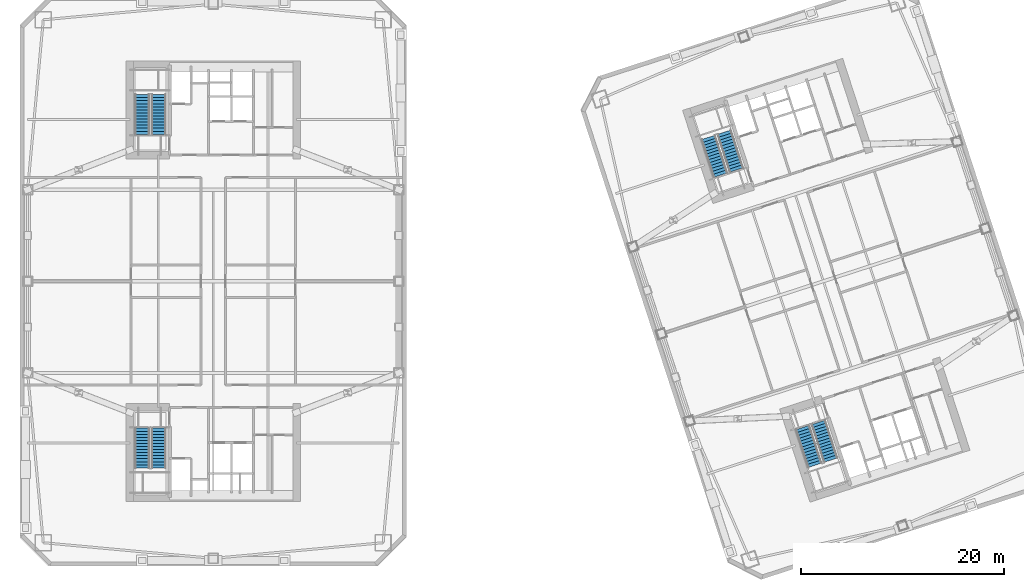
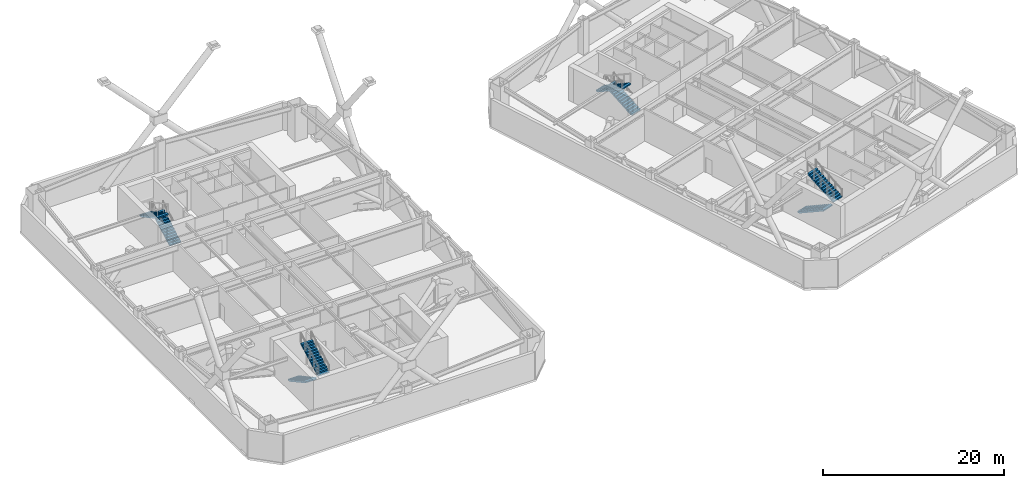
# One storey, part 17 of 19: 8 stair flights, 4 elements without a shape of their own.
"""IFC4 building model written with IfcOpenShell, lengths in metres."""

import ifcopenshell
import ifcopenshell.guid

model = None  # the IFC model being written
_history = None  # IfcOwnerHistory: only IFC2X3 demands one
_inside = {}  # id of a spatial element -> (the spatial element, [elements in it])
_under = {}  # id of a project, library or spatial element -> (it, [spatial elements below it])
_declared = {}  # id of a project -> (the project, [libraries it declares])
_typed = {}  # id of a type object -> (the type object, [elements of that type])
_made_of = {}  # id of a material, layer set ... -> (it, [elements and type objects made of it])


def new_model(schema):
    """Start an empty IFC model of exactly this schema.

    Asked for "IFC4X3", IfcOpenShell would pick the latest addendum, in which some entities
    have other attributes; the version numbers below select the first issue.
    IFC2X3 requires an IfcOwnerHistory on every rooted entity: one is made here for all.
    """
    global model, _history
    if schema == "IFC4X3":
        model = ifcopenshell.file(schema_version=(4, 3, 0, 0))
    else:
        model = ifcopenshell.file(schema=schema)
    _inside.clear()
    _under.clear()
    _declared.clear()
    _typed.clear()
    _made_of.clear()
    _history = None
    if model.schema == "IFC2X3":
        org = make("IfcOrganization", Name="unknown")
        user = make(
            "IfcPersonAndOrganization",
            ThePerson=make("IfcPerson", FamilyName="unknown"),
            TheOrganization=org,
        )
        app = make(
            "IfcApplication",
            ApplicationDeveloper=org,
            Version="unknown",
            ApplicationFullName="unknown",
            ApplicationIdentifier="unknown",
        )
        _history = make(
            "IfcOwnerHistory",
            OwningUser=user,
            OwningApplication=app,
            ChangeAction="ADDED",
            CreationDate=0,
        )
    return model


def make(cls, **values):
    """One entity of the class cls with the attributes given. An attribute that is None is left unset."""
    return model.create_entity(
        cls, **{name: value for name, value in values.items() if value is not None}
    )


def rooted(cls, **values):
    """An entity with a GlobalId (a new one), such as an element, a storey or a relation."""
    return make(cls, GlobalId=ifcopenshell.guid.new(), OwnerHistory=_history, **values)


def si_unit(unit_type, name, prefix=None):
    """IfcSIUnit, for example si_unit("LENGTHUNIT", "METRE", prefix="MILLI")."""
    return make("IfcSIUnit", UnitType=unit_type, Prefix=prefix, Name=name)


def assignment(units):
    """IfcUnitAssignment: the units of a project."""
    return None if units is None else make("IfcUnitAssignment", Units=units)


def point(xyz):
    """IfcCartesianPoint."""
    return None if xyz is None else make("IfcCartesianPoint", Coordinates=xyz)


def direction(xyz):
    """IfcDirection."""
    return None if xyz is None else make("IfcDirection", DirectionRatios=xyz)


def frame(location, z_axis=None, x_axis=None):
    """IfcAxis2Placement3D, a coordinate frame: its origin and axes. An axis left out is left unset."""
    return make(
        "IfcAxis2Placement3D",
        Location=point(location),
        Axis=direction(z_axis),
        RefDirection=direction(x_axis),
    )


def origin():
    """The frame at (0, 0, 0) with its axes left unset."""
    return frame((0.0, 0.0, 0.0))


def place(relative_to, where):
    """IfcLocalPlacement: puts the frame where relative to a parent placement (None: the world)."""
    return make(
        "IfcLocalPlacement", PlacementRelTo=relative_to, RelativePlacement=where
    )


def context(
    kind, dimensions, precision=None, world=None, true_north=None, identifier=None
):
    """IfcGeometricRepresentationContext, for example the 3D "Model" context."""
    return make(
        "IfcGeometricRepresentationContext",
        ContextIdentifier=identifier,
        ContextType=kind,
        CoordinateSpaceDimension=dimensions,
        Precision=precision,
        WorldCoordinateSystem=world,
        TrueNorth=true_north,
    )


def subcontext(parent, identifier, kind, view, scale=None):
    """IfcGeometricRepresentationSubContext, for example "Body" below "Model"."""
    return make(
        "IfcGeometricRepresentationSubContext",
        ContextIdentifier=identifier,
        ContextType=kind,
        ParentContext=parent,
        TargetScale=scale,
        TargetView=view,
    )


def project(units=None, contexts=None):
    """IfcProject with its units and contexts."""
    return rooted(
        "IfcProject",
        Name="project",
        RepresentationContexts=contexts,
        UnitsInContext=assignment(units),
    )


def spatial(cls, under=None, at=None, **own):
    """A site, building, storey or space (cls), placed at a placement, below another one or the project."""
    s = rooted(cls, ObjectPlacement=at, **own)
    if under is not None:
        _under.setdefault(under.id(), (under, []))[1].append(s)
    return s


def polyline(points):
    """IfcPolyline through the points."""
    return make("IfcPolyline", Points=[point(p) for p in points])


def outline(outer, holes=None, kind="AREA"):
    """IfcArbitraryClosedProfileDef: a profile drawn as a closed curve; with holes, ...WithVoids."""
    if holes is None:
        return make("IfcArbitraryClosedProfileDef", ProfileType=kind, OuterCurve=outer)
    return make(
        "IfcArbitraryProfileDefWithVoids",
        ProfileType=kind,
        OuterCurve=outer,
        InnerCurves=holes,
    )


def extrude(swept, where, along, depth):
    """IfcExtrudedAreaSolid: the profile swept, set in the frame where, extruded along a direction by depth."""
    return make(
        "IfcExtrudedAreaSolid",
        SweptArea=swept,
        Position=where,
        ExtrudedDirection=direction(along),
        Depth=depth,
    )


def shape(context_of_items, identifier, shape_type, items):
    """IfcShapeRepresentation: the items that make up one representation, for example the "Body"."""
    return make(
        "IfcShapeRepresentation",
        ContextOfItems=context_of_items,
        RepresentationIdentifier=identifier,
        RepresentationType=shape_type,
        Items=items,
    )


def material(Name=None, Category=None):
    """IfcMaterial."""
    return make("IfcMaterial", Name=Name, Category=Category)


def made_of(thing, what):
    """Note that an element or type object is made of a material, layer set ...; save() writes the relation."""
    if what is not None:
        _made_of.setdefault(what.id(), (what, []))[1].append(thing)
    return thing


def type_object(cls, material=None, **own):
    """A type object (cls), such as IfcWallType, which elements share."""
    return made_of(rooted(cls, **own), material)


def element(
    cls,
    number,
    at=None,
    inside=None,
    cuts=None,
    type_object=None,
    material=None,
    context=None,
    identifier="Body",
    shape_type=None,
    held_by="IfcProductDefinitionShape",
    body=None,
    shapes=None,
    **own,
):
    """One element of the class cls, such as IfcWall. Its Tag is "e" and its number.

    at: its placement. inside: the storey or other place that contains it. cuts: it is an
    opening in that element (IfcRelVoidsElement). A single representation is given by context,
    identifier, shape_type and body (its items); several are given by shapes. held_by: the class
    of the entity that holds the representations. save() writes the other relations.
    """
    e = rooted(cls, Tag="e%d" % number, ObjectPlacement=at, **own)
    if body is not None:
        shapes = [shape(context, identifier, shape_type, body)]
    if shapes is not None:
        e.Representation = make(held_by, Representations=shapes)
    if inside is not None:
        _inside.setdefault(inside.id(), (inside, []))[1].append(e)
    if cuts is not None:
        rooted(
            "IfcRelVoidsElement", RelatingBuildingElement=cuts, RelatedOpeningElement=e
        )
    if type_object is not None:
        _typed.setdefault(type_object.id(), (type_object, []))[1].append(e)
    return made_of(e, material)


def aggregate(whole, parts):
    """IfcRelAggregates: a whole, such as a stair, and the parts it consists of."""
    return rooted("IfcRelAggregates", RelatingObject=whole, RelatedObjects=parts)


def save(model, path):
    """Write the relations noted so far, then the file.

    IfcRelAggregates (storeys below a building ...), IfcRelContainedInSpatialStructure (elements
    in a storey), IfcRelDefinesByType, IfcRelAssociatesMaterial and IfcRelDeclares: one each for
    every whole, place, type object, material and project.
    """
    for whole, parts in _under.values():
        aggregate(whole, parts)
    for where, things in _inside.values():
        rooted(
            "IfcRelContainedInSpatialStructure",
            RelatedElements=things,
            RelatingStructure=where,
        )
    for kind, things in _typed.values():
        rooted("IfcRelDefinesByType", RelatedObjects=things, RelatingType=kind)
    for what, things in _made_of.values():
        rooted("IfcRelAssociatesMaterial", RelatedObjects=things, RelatingMaterial=what)
    for by, libraries in _declared.values():
        rooted("IfcRelDeclares", RelatingContext=by, RelatedDefinitions=libraries)
    model.write(path)


model = new_model("IFC4")

# Units and contexts
model_context = context("Model", 3, precision=1e-05, world=origin(), true_north=direction((0.0, 1.0)))
body_context = subcontext(model_context, "Body", "Model", "MODEL_VIEW")
ifc_project = project(units=[si_unit("LENGTHUNIT", "METRE"), si_unit("AREAUNIT", "SQUARE_METRE"), si_unit("VOLUMEUNIT", "CUBIC_METRE"), si_unit("PLANEANGLEUNIT", "RADIAN"), si_unit("MASSUNIT", "GRAM", prefix="KILO")], contexts=[model_context])

# Site, building, storey
site_placement = place(None, origin())
site = spatial("IfcSite", under=ifc_project, at=site_placement, CompositionType="ELEMENT")
building_placement = place(site_placement, origin())
building = spatial("IfcBuilding", under=site, at=building_placement, Name="Qiaolan Cultural Towers", CompositionType="ELEMENT")
storey_placement = place(building_placement, frame((0.0, 0.0, 92.0)))
storey = spatial("IfcBuildingStorey", under=building, at=storey_placement, Name="L23", CompositionType="ELEMENT", Elevation=92.0)

# Stair, stair flights
ifc_material_1 = material(Name="Concrete C45", Category="concrete")
stair_type = type_object("IfcStairType", Name="STR-CORE-1500", PredefinedType="HALF_TURN_STAIR", material=ifc_material_1)
stair_1_placement = place(storey_placement, origin())
stair_1 = element("IfcStair", 1, at=stair_1_placement, inside=storey, type_object=stair_type, Name="L23 Smokeproof Exit Stair ST-W1", PredefinedType="HALF_TURN_STAIR")
ifc_material_2 = material(Name="Concrete C45", Category="concrete")
stair_flight_type = type_object("IfcStairFlightType", Name="STR-CORE-1500-FL", PredefinedType="STRAIGHT", material=ifc_material_2)
stair_flight_1_placement = place(storey_placement, frame((23.02001953125, 19.550048828125, 0.0), z_axis=(0.0, 0.0, 1.0), x_axis=(0.0, -1.0, 0.0)))
stair_flight_1 = element("IfcStairFlight", 2, at=stair_flight_1_placement, type_object=stair_flight_type, Name="ST-W1 flight 1", NumberOfRisers=14, NumberOfTreads=13, PredefinedType="STRAIGHT", RiserHeight=0.164285714, TreadLength=0.3, context=body_context, shape_type="SweptSolid", body=[
    extrude(outline(polyline([(0.0, 0.0), (0.0, 0.164306640625), (0.300048828125, 0.164306640625), (0.300048828125, 0.32861328125), (0.60009765625, 0.32861328125), (0.60009765625, 0.492919921875), (0.89990234375, 0.492919921875), (0.89990234375, 0.6572265625), (1.199951171875, 0.6572265625), (1.199951171875, 0.821533203125), (1.5, 0.821533203125), (1.5, 0.985595703125), (1.800048828125, 0.985595703125), (1.800048828125, 1.14990234375), (2.10009765625, 1.14990234375), (2.10009765625, 1.314208984375), (2.39990234375, 1.314208984375), (2.39990234375, 1.478515625), (2.699951171875, 1.478515625), (2.699951171875, 1.642822265625), (3.0, 1.642822265625), (3.0, 1.80712890625), (3.300048828125, 1.80712890625), (3.300048828125, 1.971435546875), (3.60009765625, 1.971435546875), (3.60009765625, 2.1357421875), (3.89990234375, 2.1357421875), (3.89990234375, 2.300048828125), (3.89990234375, 1.96484375), (0.31201171875, 0.0), (0.0, 0.0)])), frame((0.0, 0.719970703125, 0.0), z_axis=(0.0, -1.0, 0.0), x_axis=(1.0, 0.0, 0.0)), (0.0, 0.0, 1.0), 1.43994140625),
])
stair_flight_2_placement = place(storey_placement, frame((24.659912109375, 15.64990234375, 2.300048828125), z_axis=(0.0, 0.0, 1.0), x_axis=(0.0, 1.0, 0.0)))
stair_flight_2 = element("IfcStairFlight", 3, at=stair_flight_2_placement, type_object=stair_flight_type, Name="ST-W1 flight 2", NumberOfRisers=14, NumberOfTreads=13, PredefinedType="STRAIGHT", RiserHeight=0.164285714, TreadLength=0.3, context=body_context, shape_type="SweptSolid", body=[
    extrude(outline(polyline([(0.0, 0.0), (0.0, 0.164306640625), (0.300048828125, 0.164306640625), (0.300048828125, 0.32861328125), (0.60009765625, 0.32861328125), (0.60009765625, 0.492919921875), (0.89990234375, 0.492919921875), (0.89990234375, 0.6572265625), (1.199951171875, 0.6572265625), (1.199951171875, 0.821533203125), (1.5, 0.821533203125), (1.5, 0.985595703125), (1.800048828125, 0.985595703125), (1.800048828125, 1.14990234375), (2.10009765625, 1.14990234375), (2.10009765625, 1.314208984375), (2.39990234375, 1.314208984375), (2.39990234375, 1.478515625), (2.699951171875, 1.478515625), (2.699951171875, 1.642822265625), (3.0, 1.642822265625), (3.0, 1.80712890625), (3.300048828125, 1.80712890625), (3.300048828125, 1.971435546875), (3.60009765625, 1.971435546875), (3.60009765625, 2.1357421875), (3.89990234375, 2.1357421875), (3.89990234375, 2.300048828125), (3.89990234375, 1.96484375), (0.31201171875, 0.0), (0.0, 0.0)])), frame((0.0, 0.719970703125, 0.0), z_axis=(0.0, -1.0, 0.0), x_axis=(1.0, 0.0, 0.0)), (0.0, 0.0, 1.0), 1.43994140625),
])
aggregate(stair_1, [stair_flight_1, stair_flight_2])

stair_2_placement = place(storey_placement, origin())
stair_2 = element("IfcStair", 4, at=stair_2_placement, inside=storey, type_object=stair_type, Name="L23 Smokeproof Exit Stair ST-W2", PredefinedType="HALF_TURN_STAIR")
stair_flight_3_placement = place(storey_placement, frame((24.659912109375, 48.449951171875, 0.0), z_axis=(0.0, 0.0, 1.0), x_axis=(0.0, 1.0, 0.0)))
stair_flight_3 = element("IfcStairFlight", 5, at=stair_flight_3_placement, type_object=stair_flight_type, Name="ST-W2 flight 1", NumberOfRisers=14, NumberOfTreads=13, PredefinedType="STRAIGHT", RiserHeight=0.164285714, TreadLength=0.3, context=body_context, shape_type="SweptSolid", body=[
    extrude(outline(polyline([(0.0, 0.0), (0.0, 0.164306640625), (0.300048828125, 0.164306640625), (0.300048828125, 0.32861328125), (0.60009765625, 0.32861328125), (0.60009765625, 0.492919921875), (0.89990234375, 0.492919921875), (0.89990234375, 0.6572265625), (1.199951171875, 0.6572265625), (1.199951171875, 0.821533203125), (1.5, 0.821533203125), (1.5, 0.985595703125), (1.800048828125, 0.985595703125), (1.800048828125, 1.14990234375), (2.10009765625, 1.14990234375), (2.10009765625, 1.314208984375), (2.39990234375, 1.314208984375), (2.39990234375, 1.478515625), (2.699951171875, 1.478515625), (2.699951171875, 1.642822265625), (3.0, 1.642822265625), (3.0, 1.80712890625), (3.300048828125, 1.80712890625), (3.300048828125, 1.971435546875), (3.60009765625, 1.971435546875), (3.60009765625, 2.1357421875), (3.89990234375, 2.1357421875), (3.89990234375, 2.300048828125), (3.89990234375, 1.96484375), (0.31201171875, 0.0), (0.0, 0.0)])), frame((0.0, 0.719970703125, 0.0), z_axis=(0.0, -1.0, 0.0), x_axis=(1.0, 0.0, 0.0)), (0.0, 0.0, 1.0), 1.43994140625),
])
stair_flight_4_placement = place(storey_placement, frame((23.02001953125, 52.35009765625, 2.300048828125), z_axis=(0.0, 0.0, 1.0), x_axis=(0.0, -1.0, 0.0)))
stair_flight_4 = element("IfcStairFlight", 6, at=stair_flight_4_placement, type_object=stair_flight_type, Name="ST-W2 flight 2", NumberOfRisers=14, NumberOfTreads=13, PredefinedType="STRAIGHT", RiserHeight=0.164285714, TreadLength=0.3, context=body_context, shape_type="SweptSolid", body=[
    extrude(outline(polyline([(0.0, 0.0), (0.0, 0.164306640625), (0.300048828125, 0.164306640625), (0.300048828125, 0.32861328125), (0.60009765625, 0.32861328125), (0.60009765625, 0.492919921875), (0.89990234375, 0.492919921875), (0.89990234375, 0.6572265625), (1.199951171875, 0.6572265625), (1.199951171875, 0.821533203125), (1.5, 0.821533203125), (1.5, 0.985595703125), (1.800048828125, 0.985595703125), (1.800048828125, 1.14990234375), (2.10009765625, 1.14990234375), (2.10009765625, 1.314208984375), (2.39990234375, 1.314208984375), (2.39990234375, 1.478515625), (2.699951171875, 1.478515625), (2.699951171875, 1.642822265625), (3.0, 1.642822265625), (3.0, 1.80712890625), (3.300048828125, 1.80712890625), (3.300048828125, 1.971435546875), (3.60009765625, 1.971435546875), (3.60009765625, 2.1357421875), (3.89990234375, 2.1357421875), (3.89990234375, 2.300048828125), (3.89990234375, 1.96484375), (0.31201171875, 0.0), (0.0, 0.0)])), frame((0.0, 0.719970703125, 0.0), z_axis=(0.0, -1.0, 0.0), x_axis=(1.0, 0.0, 0.0)), (0.0, 0.0, 1.0), 1.43994140625),
])
aggregate(stair_2, [stair_flight_3, stair_flight_4])

stair_3_placement = place(storey_placement, origin())
stair_3 = element("IfcStair", 7, at=stair_3_placement, inside=storey, type_object=stair_type, Name="L23 Smokeproof Exit Stair ST-E1", PredefinedType="HALF_TURN_STAIR")
stair_flight_5_placement = place(storey_placement, frame((87.96484375, 19.6171875, 0.0), z_axis=(0.0, 0.0, 1.0), x_axis=(0.309016994375, -0.951056516295, 0.0)))
stair_flight_5 = element("IfcStairFlight", 8, at=stair_flight_5_placement, type_object=stair_flight_type, Name="ST-E1 flight 1", NumberOfRisers=14, NumberOfTreads=13, PredefinedType="STRAIGHT", RiserHeight=0.164285714, TreadLength=0.3, context=body_context, shape_type="SweptSolid", body=[
    extrude(outline(polyline([(0.0, 0.0), (0.0, 0.164306640625), (0.300048828125, 0.164306640625), (0.300048828125, 0.32861328125), (0.60009765625, 0.32861328125), (0.60009765625, 0.492919921875), (0.89990234375, 0.492919921875), (0.89990234375, 0.6572265625), (1.199951171875, 0.6572265625), (1.199951171875, 0.821533203125), (1.5, 0.821533203125), (1.5, 0.985595703125), (1.800048828125, 0.985595703125), (1.800048828125, 1.14990234375), (2.10009765625, 1.14990234375), (2.10009765625, 1.314208984375), (2.39990234375, 1.314208984375), (2.39990234375, 1.478515625), (2.699951171875, 1.478515625), (2.699951171875, 1.642822265625), (3.0, 1.642822265625), (3.0, 1.80712890625), (3.300048828125, 1.80712890625), (3.300048828125, 1.971435546875), (3.60009765625, 1.971435546875), (3.60009765625, 2.1357421875), (3.89990234375, 2.1357421875), (3.89990234375, 2.300048828125), (3.89990234375, 1.96484375), (0.31201171875, 0.0), (0.0, 0.0)])), frame((0.0, 0.719970703125, 0.0), z_axis=(0.0, -1.0, 0.0), x_axis=(1.0, 0.0, 0.0)), (0.0, 0.0, 1.0), 1.43994140625),
])
stair_flight_6_placement = place(storey_placement, frame((90.729736328125, 16.414794921875, 2.300048828125), z_axis=(0.0, 0.0, 1.0), x_axis=(-0.309016994375, 0.951056516295, 0.0)))
stair_flight_6 = element("IfcStairFlight", 9, at=stair_flight_6_placement, type_object=stair_flight_type, Name="ST-E1 flight 2", NumberOfRisers=14, NumberOfTreads=13, PredefinedType="STRAIGHT", RiserHeight=0.164285714, TreadLength=0.3, context=body_context, shape_type="SweptSolid", body=[
    extrude(outline(polyline([(0.0, 0.0), (0.0, 0.164306640625), (0.300048828125, 0.164306640625), (0.300048828125, 0.32861328125), (0.60009765625, 0.32861328125), (0.60009765625, 0.492919921875), (0.89990234375, 0.492919921875), (0.89990234375, 0.6572265625), (1.199951171875, 0.6572265625), (1.199951171875, 0.821533203125), (1.5, 0.821533203125), (1.5, 0.985595703125), (1.800048828125, 0.985595703125), (1.800048828125, 1.14990234375), (2.10009765625, 1.14990234375), (2.10009765625, 1.314208984375), (2.39990234375, 1.314208984375), (2.39990234375, 1.478515625), (2.699951171875, 1.478515625), (2.699951171875, 1.642822265625), (3.0, 1.642822265625), (3.0, 1.80712890625), (3.300048828125, 1.80712890625), (3.300048828125, 1.971435546875), (3.60009765625, 1.971435546875), (3.60009765625, 2.1357421875), (3.89990234375, 2.1357421875), (3.89990234375, 2.300048828125), (3.89990234375, 1.96484375), (0.31201171875, 0.0), (0.0, 0.0)])), frame((0.0, 0.719970703125, 0.0), z_axis=(0.0, -1.0, 0.0), x_axis=(1.0, 0.0, 0.0)), (0.0, 0.0, 1.0), 1.43994140625),
])
aggregate(stair_3, [stair_flight_5, stair_flight_6])

stair_4_placement = place(storey_placement, origin())
stair_4 = element("IfcStair", 10, at=stair_4_placement, inside=storey, type_object=stair_type, Name="L23 Smokeproof Exit Stair ST-E2", PredefinedType="HALF_TURN_STAIR")
stair_flight_7_placement = place(storey_placement, frame((81.459228515625, 44.946533203125, 0.0), z_axis=(0.0, 0.0, 1.0), x_axis=(-0.309016994375, 0.951056516295, 0.0)))
stair_flight_7 = element("IfcStairFlight", 11, at=stair_flight_7_placement, type_object=stair_flight_type, Name="ST-E2 flight 1", NumberOfRisers=14, NumberOfTreads=13, PredefinedType="STRAIGHT", RiserHeight=0.164285714, TreadLength=0.3, context=body_context, shape_type="SweptSolid", body=[
    extrude(outline(polyline([(0.0, 0.0), (0.0, 0.164306640625), (0.300048828125, 0.164306640625), (0.300048828125, 0.32861328125), (0.60009765625, 0.32861328125), (0.60009765625, 0.492919921875), (0.89990234375, 0.492919921875), (0.89990234375, 0.6572265625), (1.199951171875, 0.6572265625), (1.199951171875, 0.821533203125), (1.5, 0.821533203125), (1.5, 0.985595703125), (1.800048828125, 0.985595703125), (1.800048828125, 1.14990234375), (2.10009765625, 1.14990234375), (2.10009765625, 1.314208984375), (2.39990234375, 1.314208984375), (2.39990234375, 1.478515625), (2.699951171875, 1.478515625), (2.699951171875, 1.642822265625), (3.0, 1.642822265625), (3.0, 1.80712890625), (3.300048828125, 1.80712890625), (3.300048828125, 1.971435546875), (3.60009765625, 1.971435546875), (3.60009765625, 2.1357421875), (3.89990234375, 2.1357421875), (3.89990234375, 2.300048828125), (3.89990234375, 1.96484375), (0.31201171875, 0.0), (0.0, 0.0)])), frame((0.0, 0.719970703125, 0.0), z_axis=(0.0, -1.0, 0.0), x_axis=(1.0, 0.0, 0.0)), (0.0, 0.0, 1.0), 1.43994140625),
])
stair_flight_8_placement = place(storey_placement, frame((78.6943359375, 48.14892578125, 2.300048828125), z_axis=(0.0, 0.0, 1.0), x_axis=(0.309016994375, -0.951056516295, 0.0)))
stair_flight_8 = element("IfcStairFlight", 12, at=stair_flight_8_placement, type_object=stair_flight_type, Name="ST-E2 flight 2", NumberOfRisers=14, NumberOfTreads=13, PredefinedType="STRAIGHT", RiserHeight=0.164285714, TreadLength=0.3, context=body_context, shape_type="SweptSolid", body=[
    extrude(outline(polyline([(0.0, 0.0), (0.0, 0.164306640625), (0.300048828125, 0.164306640625), (0.300048828125, 0.32861328125), (0.60009765625, 0.32861328125), (0.60009765625, 0.492919921875), (0.89990234375, 0.492919921875), (0.89990234375, 0.6572265625), (1.199951171875, 0.6572265625), (1.199951171875, 0.821533203125), (1.5, 0.821533203125), (1.5, 0.985595703125), (1.800048828125, 0.985595703125), (1.800048828125, 1.14990234375), (2.10009765625, 1.14990234375), (2.10009765625, 1.314208984375), (2.39990234375, 1.314208984375), (2.39990234375, 1.478515625), (2.699951171875, 1.478515625), (2.699951171875, 1.642822265625), (3.0, 1.642822265625), (3.0, 1.80712890625), (3.300048828125, 1.80712890625), (3.300048828125, 1.971435546875), (3.60009765625, 1.971435546875), (3.60009765625, 2.1357421875), (3.89990234375, 2.1357421875), (3.89990234375, 2.300048828125), (3.89990234375, 1.96484375), (0.31201171875, 0.0), (0.0, 0.0)])), frame((0.0, 0.719970703125, 0.0), z_axis=(0.0, -1.0, 0.0), x_axis=(1.0, 0.0, 0.0)), (0.0, 0.0, 1.0), 1.43994140625),
])
aggregate(stair_4, [stair_flight_7, stair_flight_8])

save(model, "model.ifc")
